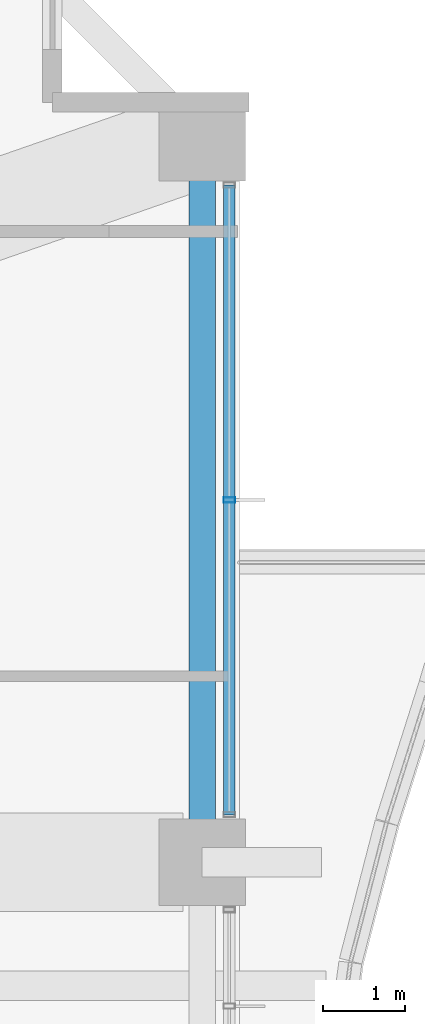
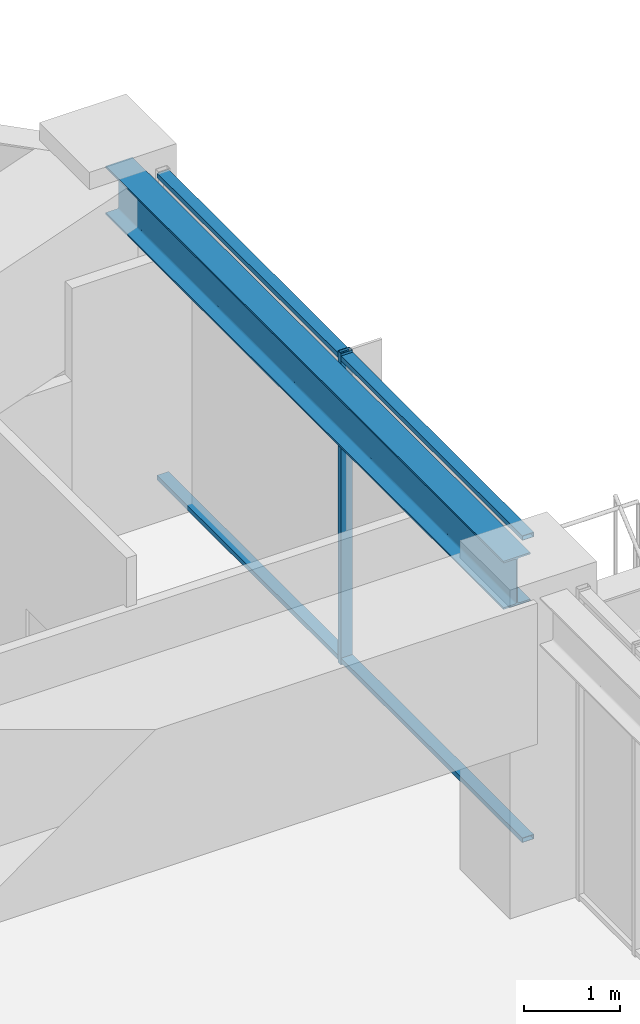
# One storey, part 19 of 40: 3 members, 1 beam, 1 element without a shape of its own.
"""IFC4 building model written with IfcOpenShell, lengths in metres."""

from ifc_helpers import new_model, si_unit, direction, frame, origin, origin_2d, place, context, subcontext, project, spatial, hollow_rectangle, i_section, extrude, material, material_profile, profile_set, type_object, element, aggregate, save


model = new_model("IFC4")

# Units and contexts
model_context = context("Model", 3, precision=1e-05, world=origin(), true_north=direction((0.0, 1.0)))
body_context = subcontext(model_context, "Body", "Model", "MODEL_VIEW")
ifc_project = project(units=[si_unit("LENGTHUNIT", "METRE"), si_unit("AREAUNIT", "SQUARE_METRE"), si_unit("VOLUMEUNIT", "CUBIC_METRE"), si_unit("PLANEANGLEUNIT", "RADIAN"), si_unit("MASSUNIT", "GRAM", prefix="KILO")], contexts=[model_context])

# Site, building, storey
site_placement = place(None, origin())
site = spatial("IfcSite", under=ifc_project, at=site_placement, CompositionType="ELEMENT")
building_placement = place(site_placement, origin())
building = spatial("IfcBuilding", under=site, at=building_placement, Name="Kolvaren Belvedere", CompositionType="ELEMENT")
storey_placement = place(building_placement, frame((0.0, 0.0, 68.0)))
storey = spatial("IfcBuildingStorey", under=building, at=storey_placement, Name="L19", CompositionType="ELEMENT", Elevation=68.0)

# Beam
ifc_material_1 = material(Name="Structural steel ASTM A992 Grade 50", Category="steel")
ifc_material_profile_1 = material_profile(ifc_material_1, i_section(OverallWidth=0.324951171875, OverallDepth=0.615966796875, WebThickness=0.013916015625, FlangeThickness=0.021484375, FilletRadius=0.02001953125, at=origin_2d()), Name="W24X117")
ifc_profile_set_1 = profile_set([ifc_material_profile_1], Name="Structural steel ASTM A992 Grade 50")
beam_type = type_object("IfcBeamType", Name="BM-SPAN-W24X117", PredefinedType="SPANDREL", material=ifc_profile_set_1)
beam_placement = place(storey_placement, frame((19.949951171875, 4.836181640625, 3.672119140625), z_axis=(0.0, 1.0, 0.0), x_axis=(-1.0, 0.0, 0.0)))
element("IfcBeam", 1, at=beam_placement, inside=storey, type_object=beam_type, Name="L19 Perimeter Spandrel E3-E4", PredefinedType="SPANDREL", context=body_context, shape_type="SweptSolid", body=[
    extrude(i_section(OverallWidth=0.324951171875, OverallDepth=0.615966796875, WebThickness=0.013916015625, FlangeThickness=0.021484375, FilletRadius=0.02001953125, at=origin_2d()), origin(), (0.0, 0.0, 1.0), 8.32763671875),
])

# Curtain wall, members
ifc_material_2 = material(Name="Anodised pale-metal aluminium AA 6063-T6", Category="aluminium")
curtain_wall_type = type_object("IfcCurtainWallType", Name="CW-Z2-MID", PredefinedType="NOTDEFINED", material=ifc_material_2)
curtain_wall_placement = place(storey_placement, origin())
curtain_wall = element("IfcCurtainWall", 2, at=curtain_wall_placement, inside=storey, type_object=curtain_wall_type, Name="L19 Unitised Curtain Wall FCW-L19-E1-B1", PredefinedType="NOTDEFINED")
ifc_material_3 = material(Name="Anodised pale-metal aluminium AA 6063-T6", Category="aluminium")
ifc_material_profile_2 = material_profile(ifc_material_3, hollow_rectangle(XDim=0.06494140625, YDim=0.139892578125, WallThickness=0.00390625, at=origin_2d()), Name="ALU-MUL-140X65")
ifc_profile_set_2 = profile_set([ifc_material_profile_2], Name="Anodised pale-metal aluminium AA 6063-T6")
member_type_1 = type_object("IfcMemberType", Name="CW-MUL-140", PredefinedType="MULLION", material=ifc_profile_set_2)
member_1_placement = place(storey_placement, frame((20.280029296875, 9.0, 0.0), z_axis=(0.0, 0.0, 1.0), x_axis=(0.0, 1.0, 0.0)))
member_1 = element("IfcMember", 3, at=member_1_placement, type_object=member_type_1, Name="FCW-L19-E1-B1 Unitised Mullion 2", PredefinedType="MULLION", context=body_context, shape_type="SweptSolid", body=[
    extrude(hollow_rectangle(XDim=0.06494140625, YDim=0.139892578125, WallThickness=0.00390625, at=origin_2d()), origin(), (0.0, 0.0, 1.0), 3.97998046875),
])
ifc_material_4 = material(Name="Anodised pale-metal aluminium AA 6063-T6", Category="aluminium")
ifc_material_profile_3 = material_profile(ifc_material_4, hollow_rectangle(XDim=0.06005859375, YDim=0.139892578125, WallThickness=0.00390625, at=origin_2d()), Name="ALU-TRN-140X60")
ifc_profile_set_3 = profile_set([ifc_material_profile_3], Name="Anodised pale-metal aluminium AA 6063-T6")
member_type_2 = type_object("IfcMemberType", Name="CW-TRN-140", PredefinedType="USERDEFINED", material=ifc_profile_set_3)
member_2_placement = place(storey_placement, frame((20.280029296875, 12.822509765625, 0.06005859375), z_axis=(0.0, -1.0, 0.0), x_axis=(0.0, 0.0, 1.0)))
member_2 = element("IfcMember", 4, at=member_2_placement, type_object=member_type_2, Name="FCW-L19-E1-B1 Sill Transom", ObjectType="TRANSOM", PredefinedType="USERDEFINED", context=body_context, shape_type="SweptSolid", body=[
    extrude(hollow_rectangle(XDim=0.06005859375, YDim=0.139892578125, WallThickness=0.00390625, at=origin_2d()), origin(), (0.0, 0.0, 1.0), 7.64501953125),
])
member_3_placement = place(storey_placement, frame((20.280029296875, 12.822509765625, 3.919921875), z_axis=(0.0, -1.0, 0.0), x_axis=(0.0, 0.0, 1.0)))
member_3 = element("IfcMember", 5, at=member_3_placement, type_object=member_type_2, Name="FCW-L19-E1-B1 Head Transom", ObjectType="TRANSOM", PredefinedType="USERDEFINED", context=body_context, shape_type="SweptSolid", body=[
    extrude(hollow_rectangle(XDim=0.06005859375, YDim=0.139892578125, WallThickness=0.00390625, at=origin_2d()), origin(), (0.0, 0.0, 1.0), 7.64501953125),
])
aggregate(curtain_wall, [member_1, member_2, member_3])

save(model, "model.ifc")
